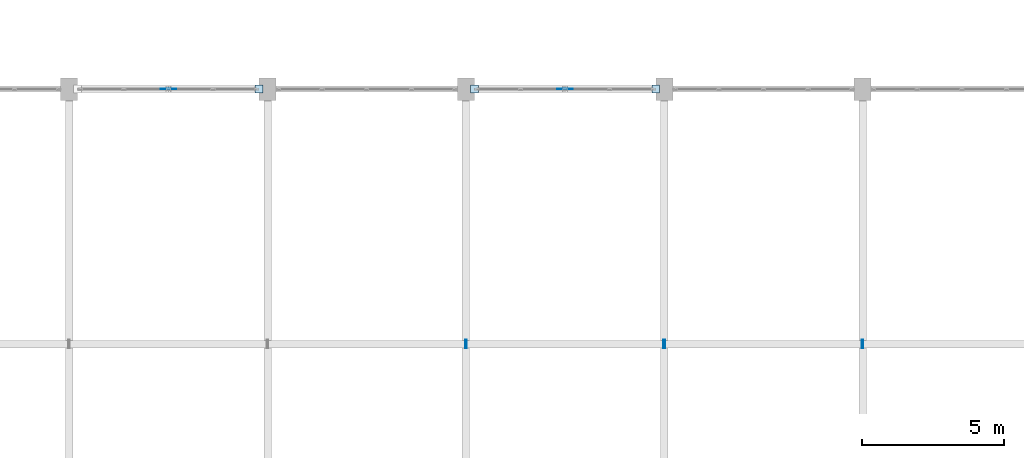
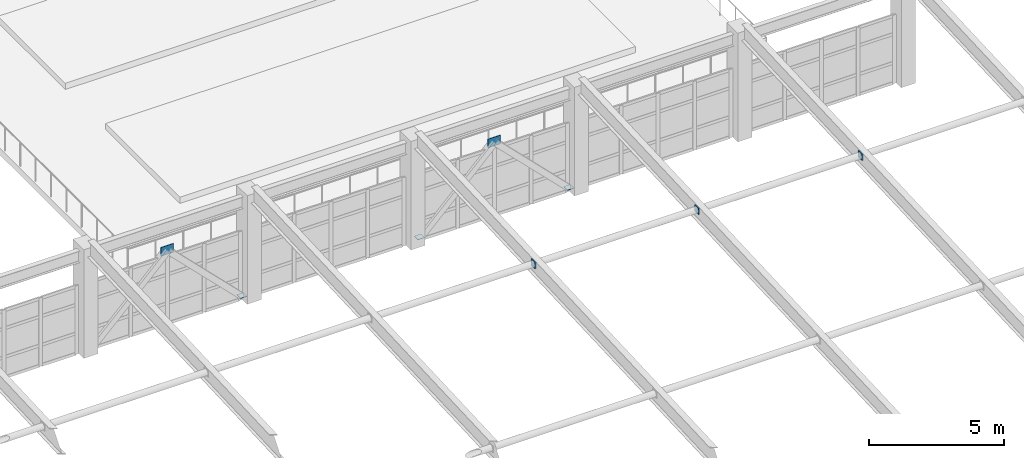
# One storey, part 81 of 150: 11 plates.
"""IFC4 building model written with IfcOpenShell, lengths in metres."""

from ifc_helpers import new_model, si_unit, direction, frame, origin, origin_2d, place, context, subcontext, project, spatial, rectangle, extrude, material, layer, layer_set, type_object, element, save


model = new_model("IFC4")

# Units and contexts
model_context = context("Model", 3, precision=1e-05, world=origin(), true_north=direction((0.0, 1.0)))
body_context = subcontext(model_context, "Body", "Model", "MODEL_VIEW")
ifc_project = project(units=[si_unit("LENGTHUNIT", "METRE"), si_unit("AREAUNIT", "SQUARE_METRE"), si_unit("VOLUMEUNIT", "CUBIC_METRE"), si_unit("PLANEANGLEUNIT", "RADIAN"), si_unit("MASSUNIT", "GRAM", prefix="KILO")], contexts=[model_context])

# Site, building, storey
site_placement = place(None, origin())
site = spatial("IfcSite", under=ifc_project, at=site_placement, CompositionType="ELEMENT")
building_placement = place(site_placement, origin())
building = spatial("IfcBuilding", under=site, at=building_placement, Name="Kestramere Prow Commons", CompositionType="ELEMENT")
storey_placement = place(building_placement, frame((0.0, 0.0, 4.5)))
storey = spatial("IfcBuildingStorey", under=building, at=storey_placement, Name="L01", CompositionType="ELEMENT", Elevation=4.5)

# Plates
ifc_material = material(Name="Steel S355JR", Category="steel")
ifc_layer_1 = layer(ifc_material, 0.01611328125)
ifc_layer_set_1 = layer_set([ifc_layer_1], Name="Steel S355JR")
plate_type_1 = type_object("IfcPlateType", Name="PL-ENDCAP-16", PredefinedType="SHEET", material=ifc_layer_set_1)
for number, where, z_axis, x_axis, name in (
    (1, (30.179931640625, 34.5, 4.35400390625), (0.0, 0.0, 1.0), (1.0, 0.0, 0.0), "Tie Strut Cap Plate 4-3B"),
    (2, (30.219970703125, 34.5, 4.35400390625), (0.0, 0.0, 1.0), (1.0, 0.0, 0.0), "Tie Strut Cap Plate 5-3A"),
    (3, (37.179931640625, 34.5, 4.35400390625), (0.0, 0.0, 1.0), (1.0, 0.0, 0.0), "Tie Strut Cap Plate 5-3B"),
    (4, (37.219970703125, 34.5, 4.35400390625), (0.0, 0.0, 1.0), (1.0, 0.0, 0.0), "Tie Strut Cap Plate 6-3A"),
    (5, (44.179931640625, 34.5, 4.35400390625), (0.0, 0.0, 1.0), (1.0, 0.0, 0.0), "Tie Strut Cap Plate 6-3B"),
    (6, (44.219970703125, 34.5, 4.35400390625), (0.0, 0.0, 1.0), (1.0, 0.0, 0.0), "Tie Strut Cap Plate 7-3A"),
):
    element("IfcPlate", number, at=place(storey_placement, frame(where, z_axis=z_axis, x_axis=x_axis)), inside=storey, type_object=plate_type_1, Name=name, PredefinedType="SHEET", context=body_context, shape_type="SweptSolid", body=[
        extrude(rectangle(XDim=0.01611328125, YDim=0.300048828125, at=origin_2d()), origin(), (0.0, 0.0, 1.0), 0.300048828125),
    ])
ifc_layer_2 = layer(ifc_material, 0.01611328125)
ifc_layer_set_2 = layer_set([ifc_layer_2], Name="Steel S355JR")
plate_type_2 = type_object("IfcPlateType", Name="PL-ENDCAP-16 (EX)", PredefinedType="SHEET", material=ifc_layer_set_2)
for number, where, z_axis, x_axis, name in (
    (7, (22.89990234375, 43.5, 0.141845703125), (0.0, 0.0, 1.0), (1.0, 0.0, 0.0), "Brace Cap Plate 3R"),
    (8, (30.5, 43.5, 0.141845703125), (0.0, 0.0, 1.0), (1.0, 0.0, 0.0), "Brace Cap Plate 5L"),
    (9, (36.89990234375, 43.5, 0.141845703125), (0.0, 0.0, 1.0), (1.0, 0.0, 0.0), "Brace Cap Plate 5R"),
):
    element("IfcPlate", number, at=place(storey_placement, frame(where, z_axis=z_axis, x_axis=x_axis)), inside=storey, type_object=plate_type_2, Name=name, PredefinedType="SHEET", context=body_context, shape_type="SweptSolid", body=[
        extrude(rectangle(XDim=0.280029296875, YDim=0.280029296875, at=origin_2d()), origin(), (0.0, 0.0, 1.0), 0.01611328125),
    ])
ifc_layer_3 = layer(ifc_material, 0.02001953125)
ifc_layer_set_3 = layer_set([ifc_layer_3], Name="Steel S355JR")
plate_type_3 = type_object("IfcPlateType", Name="PL-GUSSET-20 (EX)", PredefinedType="SHEET", material=ifc_layer_set_3)
for number, where, z_axis, x_axis, name in (
    (10, (19.699951171875, 43.5, 3.150146484375), (0.0, 0.0, 1.0), (1.0, 0.0, 0.0), "Chevron Gusset Plate 3"),
    (11, (33.699951171875, 43.5, 3.150146484375), (0.0, 0.0, 1.0), (1.0, 0.0, 0.0), "Chevron Gusset Plate 5"),
):
    element("IfcPlate", number, at=place(storey_placement, frame(where, z_axis=z_axis, x_axis=x_axis)), inside=storey, type_object=plate_type_3, Name=name, PredefinedType="SHEET", context=body_context, shape_type="SweptSolid", body=[
        extrude(rectangle(XDim=0.550048828125, YDim=0.02001953125, at=origin_2d()), origin(), (0.0, 0.0, 1.0), 0.39990234375),
    ])

save(model, "model.ifc")
